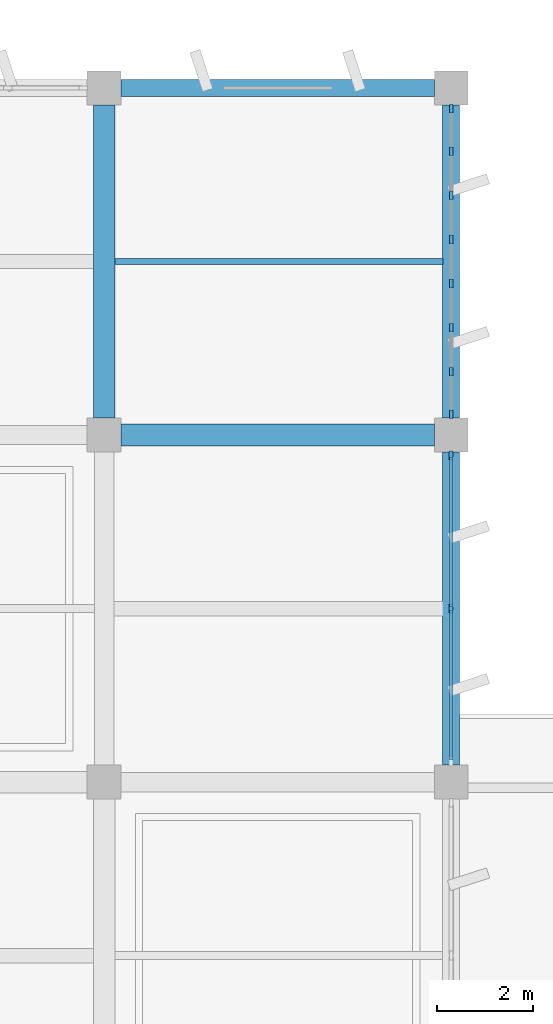
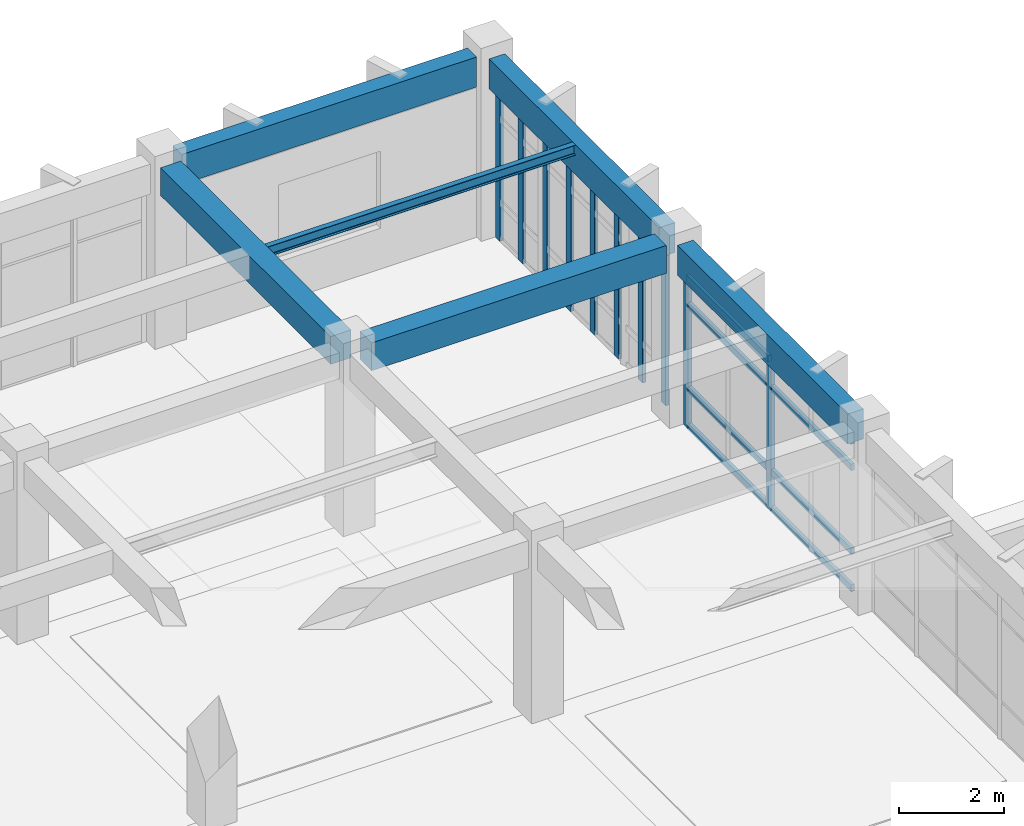
# One storey, part 34 of 81: 19 members, 5 beams, 2 elements without a shape of their own.
"""IFC4 building model written with IfcOpenShell, lengths in metres."""

from ifc_helpers import new_model, si_unit, direction, frame, origin, origin_2d, place, context, subcontext, project, spatial, rectangle, i_section, extrude, material, layer, layer_set, material_profile, profile_set, type_object, element, aggregate, save


model = new_model("IFC4")

# Units and contexts
model_context = context("Model", 3, precision=1e-05, world=origin(), true_north=direction((0.0, 1.0)))
body_context = subcontext(model_context, "Body", "Model", "MODEL_VIEW")
ifc_project = project(units=[si_unit("LENGTHUNIT", "METRE"), si_unit("AREAUNIT", "SQUARE_METRE"), si_unit("VOLUMEUNIT", "CUBIC_METRE"), si_unit("PLANEANGLEUNIT", "RADIAN"), si_unit("MASSUNIT", "GRAM", prefix="KILO")], contexts=[model_context])

# Site, building, storey
site_placement = place(None, origin())
site = spatial("IfcSite", under=ifc_project, at=site_placement, CompositionType="ELEMENT")
building_placement = place(site_placement, origin())
building = spatial("IfcBuilding", under=site, at=building_placement, Name="Kavelor Marine Aquarium", CompositionType="ELEMENT")
storey_placement = place(building_placement, frame((0.0, 0.0, 4.679931640625)))
storey = spatial("IfcBuildingStorey", under=building, at=storey_placement, Name="L01", CompositionType="ELEMENT", Elevation=4.679931640625)

# Beams
ifc_material_1 = material(Name="Concrete C40/50", Category="concrete")
ifc_material_profile_1 = material_profile(ifc_material_1, rectangle(XDim=0.449951171875, YDim=0.64990234375, at=origin_2d()), Name="RC-BM 450x650")
ifc_profile_set_1 = profile_set([ifc_material_profile_1], Name="Concrete C40/50")
beam_type_1 = type_object("IfcBeamType", Name="BM-B3", PredefinedType="BEAM", material=ifc_profile_set_1)
for number, where, z_axis, x_axis, name in (
    (1, (147.550048828125, 103.60009765625, 3.875), (1.0, 0.0, 0.0), (0.0, 1.0, 0.0), "bm:x:L01:L02:20_14"),
    (2, (147.199951171875, 103.949951171875, 3.875), (0.0, 1.0, 0.0), (-1.0, 0.0, 0.0), "bm:y:L01:L02:20_14"),
):
    element("IfcBeam", number, at=place(storey_placement, frame(where, z_axis=z_axis, x_axis=x_axis)), inside=storey, type_object=beam_type_1, Name=name, PredefinedType="BEAM", context=body_context, shape_type="SweptSolid", body=[
        extrude(rectangle(XDim=0.449951171875, YDim=0.64990234375, at=origin_2d()), origin(), (0.0, 0.0, 1.0), 6.5),
    ])
ifc_material_2 = material(Name="Concrete C40/50", Category="concrete")
ifc_material_profile_2 = material_profile(ifc_material_2, rectangle(XDim=0.35009765625, YDim=0.699951171875, at=origin_2d()), Name="RC-SP 350x700")
ifc_profile_set_2 = profile_set([ifc_material_profile_2], Name="Concrete C40/50")
beam_type_2 = type_object("IfcBeamType", Name="BM-SP1", PredefinedType="SPANDREL", material=ifc_profile_set_2)
for number, where, z_axis, x_axis, name in (
    (3, (147.550048828125, 110.800048828125, 3.85009765625), (1.0, 0.0, 0.0), (0.0, 1.0, 0.0), "bm:x:L01:L02:20_15"),
    (4, (154.39990234375, 96.75, 3.8701171875), (0.0, 1.0, 0.0), (-1.0, 0.0, 0.0), "bm:y:L01:L02:21_13"),
    (5, (154.39990234375, 103.949951171875, 3.85009765625), (0.0, 1.0, 0.0), (-1.0, 0.0, 0.0), "bm:y:L01:L02:21_14"),
):
    element("IfcBeam", number, at=place(storey_placement, frame(where, z_axis=z_axis, x_axis=x_axis)), inside=storey, type_object=beam_type_2, Name=name, PredefinedType="SPANDREL", context=body_context, shape_type="SweptSolid", body=[
        extrude(rectangle(XDim=0.35009765625, YDim=0.699951171875, at=origin_2d()), origin(), (0.0, 0.0, 1.0), 6.5),
    ])

# Curtain wall, members
ifc_material_3 = material(Name="Thermally Broken Aluminium and Low-E Glass", Category="aluminium")
ifc_layer_1 = layer(ifc_material_3, 0.14794921875)
ifc_layer_set_1 = layer_set([ifc_layer_1], Name="CW-SYS1")
curtain_wall_type_1 = type_object("IfcCurtainWallType", Name="CW-SYS1", PredefinedType="USERDEFINED", material=ifc_layer_set_1)
curtain_wall_1_placement = place(storey_placement, origin())
curtain_wall_1 = element("IfcCurtainWall", 6, at=curtain_wall_1_placement, inside=storey, type_object=curtain_wall_type_1, Name="cw:y:L01:21_14", ObjectType="Curtain Wall", PredefinedType="USERDEFINED")
ifc_material_4 = material(Name="Anodised Aluminium Alloy 6063-T6", Category="aluminium")
ifc_material_profile_3 = material_profile(ifc_material_4, rectangle(XDim=0.074951171875, YDim=0.179931640625, at=origin_2d()), Name="CW-MUL 75x180")
ifc_profile_set_3 = profile_set([ifc_material_profile_3], Name="Anodised Aluminium Alloy 6063-T6")
member_type_1 = type_object("IfcMemberType", Name="CWM-1", PredefinedType="MULLION", material=ifc_profile_set_3)
member_1_placement = place(storey_placement, frame((154.39990234375, 104.032470703125, 0.0), z_axis=(0.0, 0.0, 1.0), x_axis=(-1.0, 0.0, 0.0)))
member_1 = element("IfcMember", 7, at=member_1_placement, type_object=member_type_1, Name="CW01 mullion 1", PredefinedType="MULLION", context=body_context, shape_type="SweptSolid", body=[
    extrude(rectangle(XDim=0.074951171875, YDim=0.179931640625, at=origin_2d()), origin(), (0.0, 0.0, 1.0), 3.489990234375),
])
member_2_placement = place(storey_placement, frame((154.39990234375, 104.91064453125, 0.0), z_axis=(0.0, 0.0, 1.0), x_axis=(-1.0, 0.0, 0.0)))
member_2 = element("IfcMember", 8, at=member_2_placement, type_object=member_type_1, Name="CW01 mullion 2", PredefinedType="MULLION", context=body_context, shape_type="SweptSolid", body=[
    extrude(rectangle(XDim=0.074951171875, YDim=0.179931640625, at=origin_2d()), origin(), (0.0, 0.0, 1.0), 3.489990234375),
])
member_3_placement = place(storey_placement, frame((154.39990234375, 105.826416015625, 0.0), z_axis=(0.0, 0.0, 1.0), x_axis=(-1.0, 0.0, 0.0)))
member_3 = element("IfcMember", 9, at=member_3_placement, type_object=member_type_1, Name="CW01 mullion 3", PredefinedType="MULLION", context=body_context, shape_type="SweptSolid", body=[
    extrude(rectangle(XDim=0.074951171875, YDim=0.179931640625, at=origin_2d()), origin(), (0.0, 0.0, 1.0), 3.489990234375),
])
member_4_placement = place(storey_placement, frame((154.39990234375, 106.7421875, 0.0), z_axis=(0.0, 0.0, 1.0), x_axis=(-1.0, 0.0, 0.0)))
member_4 = element("IfcMember", 10, at=member_4_placement, type_object=member_type_1, Name="CW01 mullion 4", PredefinedType="MULLION", context=body_context, shape_type="SweptSolid", body=[
    extrude(rectangle(XDim=0.074951171875, YDim=0.179931640625, at=origin_2d()), origin(), (0.0, 0.0, 1.0), 3.489990234375),
])
member_5_placement = place(storey_placement, frame((154.39990234375, 107.657958984375, 0.0), z_axis=(0.0, 0.0, 1.0), x_axis=(-1.0, 0.0, 0.0)))
member_5 = element("IfcMember", 11, at=member_5_placement, type_object=member_type_1, Name="CW01 mullion 5", PredefinedType="MULLION", context=body_context, shape_type="SweptSolid", body=[
    extrude(rectangle(XDim=0.074951171875, YDim=0.179931640625, at=origin_2d()), origin(), (0.0, 0.0, 1.0), 3.489990234375),
])
member_6_placement = place(storey_placement, frame((154.39990234375, 108.573486328125, 0.0), z_axis=(0.0, 0.0, 1.0), x_axis=(-1.0, 0.0, 0.0)))
member_6 = element("IfcMember", 12, at=member_6_placement, type_object=member_type_1, Name="CW01 mullion 6", PredefinedType="MULLION", context=body_context, shape_type="SweptSolid", body=[
    extrude(rectangle(XDim=0.074951171875, YDim=0.179931640625, at=origin_2d()), origin(), (0.0, 0.0, 1.0), 3.489990234375),
])
member_7_placement = place(storey_placement, frame((154.39990234375, 109.4892578125, 0.0), z_axis=(0.0, 0.0, 1.0), x_axis=(-1.0, 0.0, 0.0)))
member_7 = element("IfcMember", 13, at=member_7_placement, type_object=member_type_1, Name="CW01 mullion 7", PredefinedType="MULLION", context=body_context, shape_type="SweptSolid", body=[
    extrude(rectangle(XDim=0.074951171875, YDim=0.179931640625, at=origin_2d()), origin(), (0.0, 0.0, 1.0), 3.489990234375),
])
member_8_placement = place(storey_placement, frame((154.39990234375, 110.367431640625, 0.0), z_axis=(0.0, 0.0, 1.0), x_axis=(-1.0, 0.0, 0.0)))
member_8 = element("IfcMember", 14, at=member_8_placement, type_object=member_type_1, Name="CW01 mullion 8", PredefinedType="MULLION", context=body_context, shape_type="SweptSolid", body=[
    extrude(rectangle(XDim=0.074951171875, YDim=0.179931640625, at=origin_2d()), origin(), (0.0, 0.0, 1.0), 3.489990234375),
])
aggregate(curtain_wall_1, [member_1, member_2, member_3, member_4, member_5, member_6, member_7, member_8])

ifc_material_5 = material(Name="Thermally Broken Aluminium and Low-E Glass", Category="aluminium")
ifc_layer_2 = layer(ifc_material_5, 0.33203125)
ifc_layer_set_2 = layer_set([ifc_layer_2], Name="CW-SYS24")
curtain_wall_type_2 = type_object("IfcCurtainWallType", Name="CW-SYS24", PredefinedType="USERDEFINED", material=ifc_layer_set_2)
curtain_wall_2_placement = place(storey_placement, origin())
curtain_wall_2 = element("IfcCurtainWall", 15, at=curtain_wall_2_placement, inside=storey, type_object=curtain_wall_type_2, Name="cw:y:L01:21_13", ObjectType="Curtain Wall", PredefinedType="USERDEFINED")
ifc_material_6 = material(Name="Anodised Aluminium Alloy 6063-T6", Category="aluminium")
ifc_material_profile_4 = material_profile(ifc_material_6, rectangle(XDim=0.0849609375, YDim=0.18994140625, at=origin_2d()), Name="CW-MUL 85x190")
ifc_profile_set_4 = profile_set([ifc_material_profile_4], Name="Anodised Aluminium Alloy 6063-T6")
member_type_2 = type_object("IfcMemberType", Name="CWM-3", PredefinedType="MULLION", material=ifc_profile_set_4)
member_9_placement = place(storey_placement, frame((154.39990234375, 100.0, 0.0), z_axis=(0.0, 0.0, 1.0), x_axis=(-1.0, 0.0, 0.0)))
member_9 = element("IfcMember", 16, at=member_9_placement, type_object=member_type_2, Name="CW24 mullion 2", PredefinedType="MULLION", context=body_context, shape_type="SweptSolid", body=[
    extrude(rectangle(XDim=0.0849609375, YDim=0.18994140625, at=origin_2d()), origin(), (0.0, 0.0, 1.0), 3.510009765625),
])
member_10_placement = place(storey_placement, frame((154.39990234375, 103.175048828125, 0.0), z_axis=(0.0, 0.0, 1.0), x_axis=(-1.0, 0.0, 0.0)))
member_10 = element("IfcMember", 17, at=member_10_placement, type_object=member_type_2, Name="CW24 mullion 3", PredefinedType="MULLION", context=body_context, shape_type="SweptSolid", body=[
    extrude(rectangle(XDim=0.0849609375, YDim=0.18994140625, at=origin_2d()), origin(), (0.0, 0.0, 1.0), 3.510009765625),
])
ifc_material_7 = material(Name="Anodised Aluminium Alloy 6063-T6", Category="aluminium")
ifc_material_profile_5 = material_profile(ifc_material_7, rectangle(XDim=0.074951171875, YDim=0.14990234375, at=origin_2d()), Name="CW-TRN 75x150")
ifc_profile_set_5 = profile_set([ifc_material_profile_5], Name="Anodised Aluminium Alloy 6063-T6")
member_type_3 = type_object("IfcMemberType", Name="CWT-1", PredefinedType="USERDEFINED", material=ifc_profile_set_5)
member_11_placement = place(storey_placement, frame((154.39990234375, 96.85498046875, 0.03759765625), z_axis=(0.0, 1.0, 0.0), x_axis=(-1.0, 0.0, 0.0)))
member_11 = element("IfcMember", 18, at=member_11_placement, type_object=member_type_3, Name="CW24 transom 1.1", ObjectType="TRANSOM", PredefinedType="USERDEFINED", context=body_context, shape_type="SweptSolid", body=[
    extrude(rectangle(XDim=0.074951171875, YDim=0.14990234375, at=origin_2d()), origin(), (0.0, 0.0, 1.0), 3.114990234375),
])
member_12_placement = place(storey_placement, frame((154.39990234375, 96.85498046875, 0.900146484375), z_axis=(0.0, 1.0, 0.0), x_axis=(-1.0, 0.0, 0.0)))
member_12 = element("IfcMember", 19, at=member_12_placement, type_object=member_type_3, Name="CW24 transom 1.2", ObjectType="TRANSOM", PredefinedType="USERDEFINED", context=body_context, shape_type="SweptSolid", body=[
    extrude(rectangle(XDim=0.074951171875, YDim=0.14990234375, at=origin_2d()), origin(), (0.0, 0.0, 1.0), 3.114990234375),
])
member_13_placement = place(storey_placement, frame((154.39990234375, 96.85498046875, 2.860107421875), z_axis=(0.0, 1.0, 0.0), x_axis=(-1.0, 0.0, 0.0)))
member_13 = element("IfcMember", 20, at=member_13_placement, type_object=member_type_3, Name="CW24 transom 1.3", ObjectType="TRANSOM", PredefinedType="USERDEFINED", context=body_context, shape_type="SweptSolid", body=[
    extrude(rectangle(XDim=0.074951171875, YDim=0.14990234375, at=origin_2d()), origin(), (0.0, 0.0, 1.0), 3.114990234375),
])
member_14_placement = place(storey_placement, frame((154.39990234375, 96.85498046875, 3.47265625), z_axis=(0.0, 1.0, 0.0), x_axis=(-1.0, 0.0, 0.0)))
member_14 = element("IfcMember", 21, at=member_14_placement, type_object=member_type_3, Name="CW24 transom 1.4", ObjectType="TRANSOM", PredefinedType="USERDEFINED", context=body_context, shape_type="SweptSolid", body=[
    extrude(rectangle(XDim=0.074951171875, YDim=0.14990234375, at=origin_2d()), origin(), (0.0, 0.0, 1.0), 3.114990234375),
])
member_15_placement = place(storey_placement, frame((154.39990234375, 100.030029296875, 0.03759765625), z_axis=(0.0, 1.0, 0.0), x_axis=(-1.0, 0.0, 0.0)))
member_15 = element("IfcMember", 22, at=member_15_placement, type_object=member_type_3, Name="CW24 transom 2.1", ObjectType="TRANSOM", PredefinedType="USERDEFINED", context=body_context, shape_type="SweptSolid", body=[
    extrude(rectangle(XDim=0.074951171875, YDim=0.14990234375, at=origin_2d()), origin(), (0.0, 0.0, 1.0), 3.114990234375),
])
member_16_placement = place(storey_placement, frame((154.39990234375, 100.030029296875, 0.900146484375), z_axis=(0.0, 1.0, 0.0), x_axis=(-1.0, 0.0, 0.0)))
member_16 = element("IfcMember", 23, at=member_16_placement, type_object=member_type_3, Name="CW24 transom 2.2", ObjectType="TRANSOM", PredefinedType="USERDEFINED", context=body_context, shape_type="SweptSolid", body=[
    extrude(rectangle(XDim=0.074951171875, YDim=0.14990234375, at=origin_2d()), origin(), (0.0, 0.0, 1.0), 3.114990234375),
])
member_17_placement = place(storey_placement, frame((154.39990234375, 100.030029296875, 2.860107421875), z_axis=(0.0, 1.0, 0.0), x_axis=(-1.0, 0.0, 0.0)))
member_17 = element("IfcMember", 24, at=member_17_placement, type_object=member_type_3, Name="CW24 transom 2.3", ObjectType="TRANSOM", PredefinedType="USERDEFINED", context=body_context, shape_type="SweptSolid", body=[
    extrude(rectangle(XDim=0.074951171875, YDim=0.14990234375, at=origin_2d()), origin(), (0.0, 0.0, 1.0), 3.114990234375),
])
member_18_placement = place(storey_placement, frame((154.39990234375, 100.030029296875, 3.47265625), z_axis=(0.0, 1.0, 0.0), x_axis=(-1.0, 0.0, 0.0)))
member_18 = element("IfcMember", 25, at=member_18_placement, type_object=member_type_3, Name="CW24 transom 2.4", ObjectType="TRANSOM", PredefinedType="USERDEFINED", context=body_context, shape_type="SweptSolid", body=[
    extrude(rectangle(XDim=0.074951171875, YDim=0.14990234375, at=origin_2d()), origin(), (0.0, 0.0, 1.0), 3.114990234375),
])
aggregate(curtain_wall_2, [member_9, member_10, member_11, member_12, member_13, member_14, member_15, member_16, member_17, member_18])

# Member
ifc_material_8 = material(Name="Steel S355", Category="steel")
ifc_material_profile_6 = material_profile(ifc_material_8, i_section(OverallWidth=0.1201171875, OverallDepth=0.239990234375, WebThickness=0.006103515625, FlangeThickness=0.009765625, FilletRadius=0.014892578125, at=origin_2d()), Name="IPE 240")
ifc_profile_set_6 = profile_set([ifc_material_profile_6], Name="Steel S355")
member_type_4 = type_object("IfcMemberType", Name="PR-SJ5", PredefinedType="PURLIN", material=ifc_profile_set_6)
member_19_placement = place(storey_placement, frame((147.425048828125, 107.199951171875, 4.080078125), z_axis=(1.0, 0.0, 0.0), x_axis=(0.0, 1.0, 0.0)))
element("IfcMember", 26, at=member_19_placement, inside=storey, type_object=member_type_4, Name="js:L01:L02:20_14", PredefinedType="PURLIN", context=body_context, shape_type="SweptSolid", body=[
    extrude(i_section(OverallWidth=0.1201171875, OverallDepth=0.239990234375, WebThickness=0.006103515625, FlangeThickness=0.009765625, FilletRadius=0.014892578125, at=origin_2d()), origin(), (0.0, 0.0, 1.0), 6.800048828125),
])

save(model, "model.ifc")
